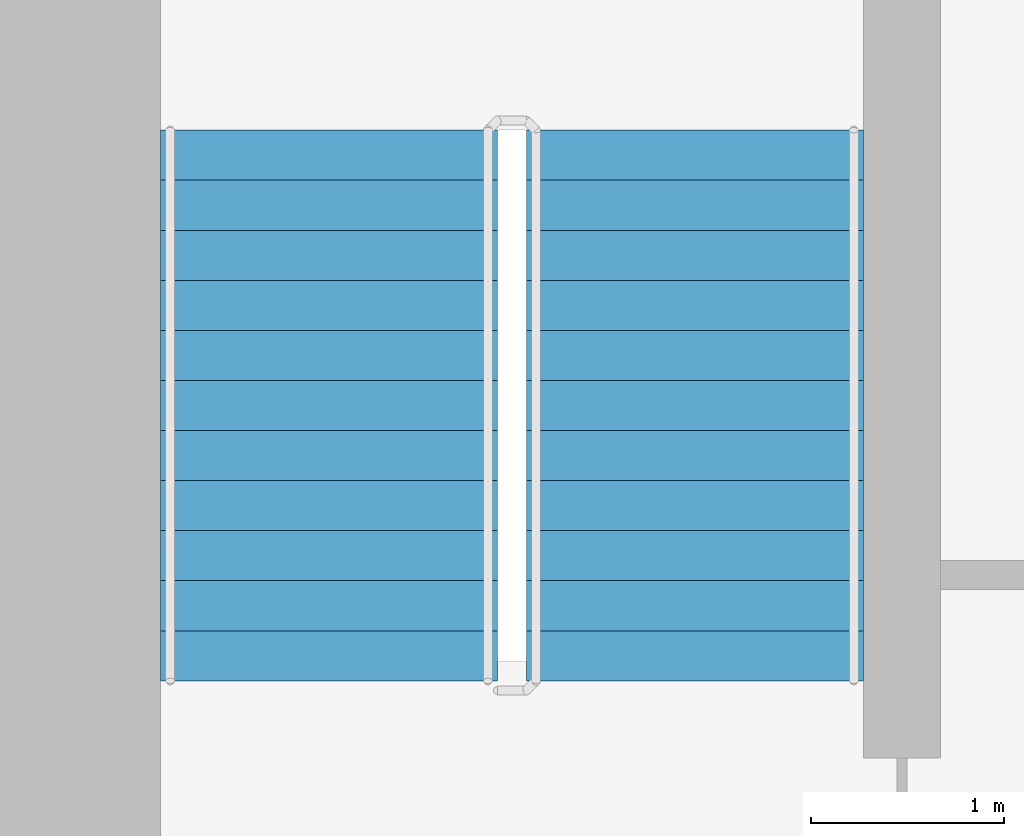
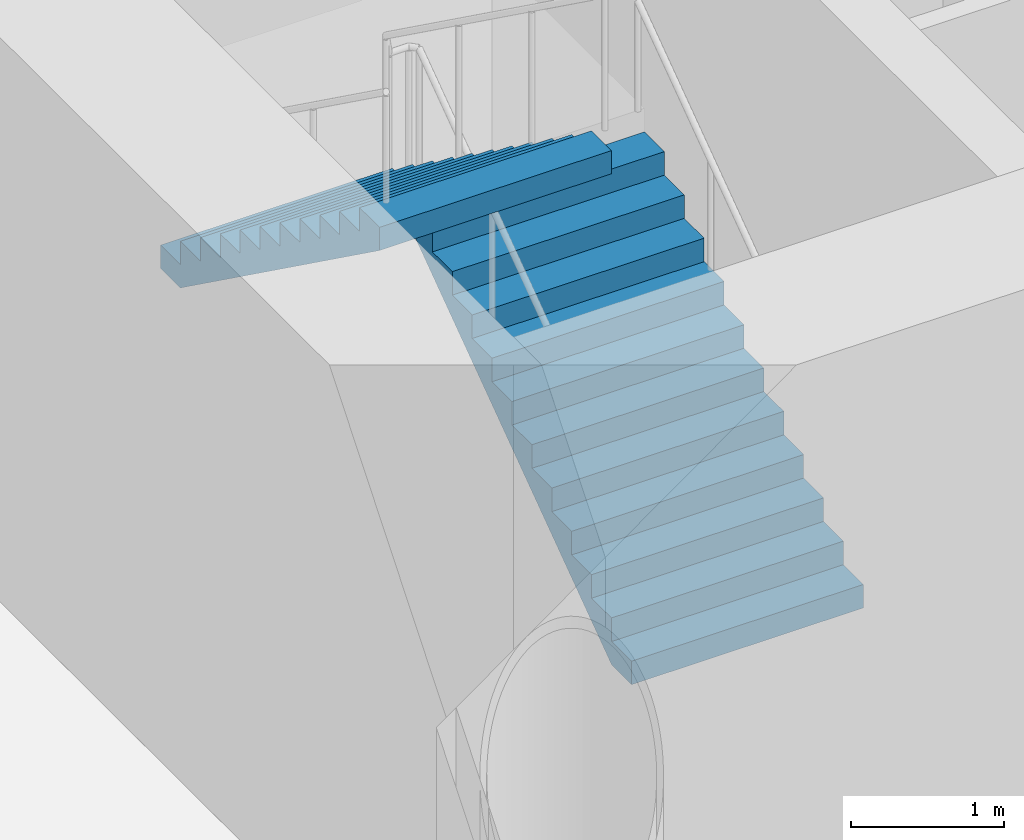
# One storey, part 41 of 49: 2 stair flights, 1 element without a shape of its own.
"""IFC4 building model written with IfcOpenShell, lengths in metres."""

from ifc_helpers import new_model, si_unit, direction, frame, origin, place, context, subcontext, project, spatial, faceted_brep, material, type_object, element, aggregate, save


model = new_model("IFC4")

# Units and contexts
model_context = context("Model", 3, precision=1e-05, world=origin(), true_north=direction((0.0, 1.0)))
body_context = subcontext(model_context, "Body", "Model", "MODEL_VIEW")
ifc_project = project(units=[si_unit("LENGTHUNIT", "METRE"), si_unit("AREAUNIT", "SQUARE_METRE"), si_unit("VOLUMEUNIT", "CUBIC_METRE"), si_unit("PLANEANGLEUNIT", "RADIAN"), si_unit("MASSUNIT", "GRAM", prefix="KILO")], contexts=[model_context])

# Site, building, storey
site_placement = place(None, origin())
site = spatial("IfcSite", under=ifc_project, at=site_placement, CompositionType="ELEMENT")
building_placement = place(site_placement, origin())
building = spatial("IfcBuilding", under=site, at=building_placement, Name="Ipe Terrace Towers", CompositionType="ELEMENT")
storey_placement = place(building_placement, frame((0.0, 0.0, 20.0)))
storey = spatial("IfcBuildingStorey", under=building, at=storey_placement, Name="L04", CompositionType="ELEMENT", Elevation=20.0)

# Stair, stair flights
ifc_material_1 = material(Name="Concrete C30/37", Category="concrete")
stair_type = type_object("IfcStairType", Name="Protected exit stair", PredefinedType="HALF_TURN_STAIR", material=ifc_material_1)
stair_placement = place(storey_placement, origin())
stair = element("IfcStair", 1, at=stair_placement, inside=storey, type_object=stair_type, Name="L04 Exit stair T2-C1", PredefinedType="HALF_TURN_STAIR")
ifc_material_2 = material(Name="Concrete C30/37", Category="concrete")
stair_flight_type = type_object("IfcStairFlightType", Name="Exit stair flight 1750", PredefinedType="STRAIGHT", material=ifc_material_2)
stair_flight_1_placement = place(storey_placement, frame((33.22509765625, 9.699951171875, 0.0), z_axis=(0.0, 0.0, 1.0), x_axis=(0.0, 1.0, 0.0)))
stair_flight_1 = element("IfcStairFlight", 2, at=stair_flight_1_placement, type_object=stair_flight_type, Name="T2-ST1 flight 1", NumberOfRisers=12, NumberOfTreads=11, PredefinedType="STRAIGHT", RiserHeight=0.1875, TreadLength=0.26, context=body_context, shape_type="Brep", body=[
    faceted_brep([(0.25634765625, -0.875, 0.0), (2.860107421875, -0.875, 1.877685546875), (2.860107421875, -0.875, 2.0625), (2.60009765625, -0.875, 2.0625), (2.60009765625, -0.875, 1.875), (2.340087890625, -0.875, 1.875), (2.340087890625, -0.875, 1.6875), (2.080078125, -0.875, 1.6875), (2.080078125, -0.875, 1.5), (1.820068359375, -0.875, 1.5), (1.820068359375, -0.875, 1.3125), (1.56005859375, -0.875, 1.3125), (1.56005859375, -0.875, 1.125), (1.300048828125, -0.875, 1.125), (1.300048828125, -0.875, 0.9375), (1.0400390625, -0.875, 0.9375), (1.0400390625, -0.875, 0.75), (0.780029296875, -0.875, 0.75), (0.780029296875, -0.875, 0.5625), (0.52001953125, -0.875, 0.5625), (0.52001953125, -0.875, 0.375), (0.260009765625, -0.875, 0.375), (0.260009765625, -0.875, 0.1875), (0.0, -0.875, 0.1875), (0.0, -0.875, 0.0), (0.0, 0.875, 0.0), (0.0, 0.875, 0.1875), (0.260009765625, 0.875, 0.1875), (0.260009765625, 0.875, 0.375), (0.52001953125, 0.875, 0.375), (0.52001953125, 0.875, 0.5625), (0.780029296875, 0.875, 0.5625), (0.780029296875, 0.875, 0.75), (1.0400390625, 0.875, 0.75), (1.0400390625, 0.875, 0.9375), (1.300048828125, 0.875, 0.9375), (1.300048828125, 0.875, 1.125), (1.56005859375, 0.875, 1.125), (1.56005859375, 0.875, 1.3125), (1.820068359375, 0.875, 1.3125), (1.820068359375, 0.875, 1.5), (2.080078125, 0.875, 1.5), (2.080078125, 0.875, 1.6875), (2.340087890625, 0.875, 1.6875), (2.340087890625, 0.875, 1.875), (2.60009765625, 0.875, 1.875), (2.60009765625, 0.875, 2.0625), (2.860107421875, 0.875, 2.0625), (2.860107421875, 0.875, 1.877685546875), (0.25634765625, 0.875, 0.0), (0.0, -0.300048828125, 0.1875), (0.0, -0.1201171875, 0.1875), (0.0, -0.06005859375, 0.1875), (0.0, -0.030029296875, 0.1875), (0.0, -0.010009765625, 0.1875), (0.0, 0.0, 0.1875), (0.0, 0.010009765625, 0.1875), (0.0, 0.030029296875, 0.1875), (0.0, 0.06005859375, 0.1875), (0.0, 0.1201171875, 0.1875), (0.0, 0.300048828125, 0.1875), (0.0, 0.300048828125, 0.0), (0.0, 0.1201171875, 0.0), (0.0, 0.06005859375, 0.0), (0.0, 0.030029296875, 0.0), (0.0, 0.010009765625, 0.0), (0.0, 0.0, 0.0), (0.0, -0.010009765625, 0.0), (0.0, -0.030029296875, 0.0), (0.0, -0.06005859375, 0.0), (0.0, -0.1201171875, 0.0), (0.0, -0.300048828125, 0.0), (0.260009765625, -0.300048828125, 0.1875), (0.260009765625, -0.1201171875, 0.1875), (0.260009765625, -0.06005859375, 0.1875), (0.260009765625, -0.030029296875, 0.1875), (0.260009765625, -0.010009765625, 0.1875), (0.260009765625, 0.0, 0.1875), (0.260009765625, 0.010009765625, 0.1875), (0.260009765625, 0.030029296875, 0.1875), (0.260009765625, 0.06005859375, 0.1875), (0.260009765625, 0.1201171875, 0.1875), (0.260009765625, 0.300048828125, 0.1875), (0.260009765625, -0.300048828125, 0.375), (0.260009765625, -0.1201171875, 0.375), (0.260009765625, -0.06005859375, 0.375), (0.260009765625, -0.030029296875, 0.375), (0.260009765625, -0.010009765625, 0.375), (0.260009765625, 0.0, 0.375), (0.260009765625, 0.010009765625, 0.375), (0.260009765625, 0.030029296875, 0.375), (0.260009765625, 0.06005859375, 0.375), (0.260009765625, 0.1201171875, 0.375), (0.260009765625, 0.300048828125, 0.375), (0.52001953125, -0.300048828125, 0.375), (0.52001953125, -0.1201171875, 0.375), (0.52001953125, -0.06005859375, 0.375), (0.52001953125, -0.030029296875, 0.375), (0.52001953125, -0.010009765625, 0.375), (0.52001953125, 0.0, 0.375), (0.52001953125, 0.010009765625, 0.375), (0.52001953125, 0.030029296875, 0.375), (0.52001953125, 0.06005859375, 0.375), (0.52001953125, 0.1201171875, 0.375), (0.52001953125, 0.300048828125, 0.375), (0.52001953125, -0.300048828125, 0.5625), (0.52001953125, -0.1201171875, 0.5625), (0.52001953125, -0.06005859375, 0.5625), (0.52001953125, -0.030029296875, 0.5625), (0.52001953125, -0.010009765625, 0.5625), (0.52001953125, 0.0, 0.5625), (0.52001953125, 0.010009765625, 0.5625), (0.52001953125, 0.030029296875, 0.5625), (0.52001953125, 0.06005859375, 0.5625), (0.52001953125, 0.1201171875, 0.5625), (0.52001953125, 0.300048828125, 0.5625), (0.780029296875, -0.300048828125, 0.5625), (0.780029296875, -0.1201171875, 0.5625), (0.780029296875, -0.06005859375, 0.5625), (0.780029296875, -0.030029296875, 0.5625), (0.780029296875, -0.010009765625, 0.5625), (0.780029296875, 0.0, 0.5625), (0.780029296875, 0.010009765625, 0.5625), (0.780029296875, 0.030029296875, 0.5625), (0.780029296875, 0.06005859375, 0.5625), (0.780029296875, 0.1201171875, 0.5625), (0.780029296875, 0.300048828125, 0.5625), (0.780029296875, -0.300048828125, 0.75), (0.780029296875, -0.1201171875, 0.75), (0.780029296875, -0.06005859375, 0.75), (0.780029296875, -0.030029296875, 0.75), (0.780029296875, -0.010009765625, 0.75), (0.780029296875, 0.0, 0.75), (0.780029296875, 0.010009765625, 0.75), (0.780029296875, 0.030029296875, 0.75), (0.780029296875, 0.06005859375, 0.75), (0.780029296875, 0.1201171875, 0.75), (0.780029296875, 0.300048828125, 0.75), (1.0400390625, -0.300048828125, 0.75), (1.0400390625, -0.1201171875, 0.75), (1.0400390625, -0.06005859375, 0.75), (1.0400390625, -0.030029296875, 0.75), (1.0400390625, -0.010009765625, 0.75), (1.0400390625, 0.0, 0.75), (1.0400390625, 0.010009765625, 0.75), (1.0400390625, 0.030029296875, 0.75), (1.0400390625, 0.06005859375, 0.75), (1.0400390625, 0.1201171875, 0.75), (1.0400390625, 0.300048828125, 0.75), (1.0400390625, -0.300048828125, 0.9375), (1.0400390625, -0.1201171875, 0.9375), (1.0400390625, -0.06005859375, 0.9375), (1.0400390625, -0.030029296875, 0.9375), (1.0400390625, -0.010009765625, 0.9375), (1.0400390625, 0.0, 0.9375), (1.0400390625, 0.010009765625, 0.9375), (1.0400390625, 0.030029296875, 0.9375), (1.0400390625, 0.06005859375, 0.9375), (1.0400390625, 0.1201171875, 0.9375), (1.0400390625, 0.300048828125, 0.9375), (1.300048828125, -0.300048828125, 0.9375), (1.300048828125, -0.1201171875, 0.9375), (1.300048828125, -0.06005859375, 0.9375), (1.300048828125, -0.030029296875, 0.9375), (1.300048828125, -0.010009765625, 0.9375), (1.300048828125, 0.0, 0.9375), (1.300048828125, 0.010009765625, 0.9375), (1.300048828125, 0.030029296875, 0.9375), (1.300048828125, 0.06005859375, 0.9375), (1.300048828125, 0.1201171875, 0.9375), (1.300048828125, 0.300048828125, 0.9375), (1.300048828125, -0.300048828125, 1.125), (1.300048828125, -0.1201171875, 1.125), (1.300048828125, -0.06005859375, 1.125), (1.300048828125, -0.030029296875, 1.125), (1.300048828125, -0.010009765625, 1.125), (1.300048828125, 0.0, 1.125), (1.300048828125, 0.010009765625, 1.125), (1.300048828125, 0.030029296875, 1.125), (1.300048828125, 0.06005859375, 1.125), (1.300048828125, 0.1201171875, 1.125), (1.300048828125, 0.300048828125, 1.125), (1.56005859375, -0.300048828125, 1.125), (1.56005859375, -0.1201171875, 1.125), (1.56005859375, -0.06005859375, 1.125), (1.56005859375, -0.030029296875, 1.125), (1.56005859375, -0.010009765625, 1.125), (1.56005859375, 0.0, 1.125), (1.56005859375, 0.010009765625, 1.125), (1.56005859375, 0.030029296875, 1.125), (1.56005859375, 0.06005859375, 1.125), (1.56005859375, 0.1201171875, 1.125), (1.56005859375, 0.300048828125, 1.125), (1.56005859375, -0.300048828125, 1.3125), (1.56005859375, -0.1201171875, 1.3125), (1.56005859375, -0.06005859375, 1.3125), (1.56005859375, -0.030029296875, 1.3125), (1.56005859375, -0.010009765625, 1.3125), (1.56005859375, 0.0, 1.3125), (1.56005859375, 0.010009765625, 1.3125), (1.56005859375, 0.030029296875, 1.3125), (1.56005859375, 0.06005859375, 1.3125), (1.56005859375, 0.1201171875, 1.3125), (1.56005859375, 0.300048828125, 1.3125), (1.820068359375, -0.300048828125, 1.3125), (1.820068359375, -0.1201171875, 1.3125), (1.820068359375, -0.06005859375, 1.3125), (1.820068359375, -0.030029296875, 1.3125), (1.820068359375, -0.010009765625, 1.3125), (1.820068359375, 0.0, 1.3125), (1.820068359375, 0.010009765625, 1.3125), (1.820068359375, 0.030029296875, 1.3125), (1.820068359375, 0.06005859375, 1.3125), (1.820068359375, 0.1201171875, 1.3125), (1.820068359375, 0.300048828125, 1.3125), (1.820068359375, -0.300048828125, 1.5), (1.820068359375, -0.1201171875, 1.5), (1.820068359375, -0.06005859375, 1.5), (1.820068359375, -0.030029296875, 1.5), (1.820068359375, -0.010009765625, 1.5), (1.820068359375, 0.0, 1.5), (1.820068359375, 0.010009765625, 1.5), (1.820068359375, 0.030029296875, 1.5), (1.820068359375, 0.06005859375, 1.5), (1.820068359375, 0.1201171875, 1.5), (1.820068359375, 0.300048828125, 1.5), (2.080078125, -0.300048828125, 1.5), (2.080078125, -0.1201171875, 1.5), (2.080078125, -0.06005859375, 1.5), (2.080078125, -0.030029296875, 1.5), (2.080078125, -0.010009765625, 1.5), (2.080078125, 0.0, 1.5), (2.080078125, 0.010009765625, 1.5), (2.080078125, 0.030029296875, 1.5), (2.080078125, 0.06005859375, 1.5), (2.080078125, 0.1201171875, 1.5), (2.080078125, 0.300048828125, 1.5), (2.080078125, -0.300048828125, 1.6875), (2.080078125, -0.1201171875, 1.6875), (2.080078125, -0.06005859375, 1.6875), (2.080078125, -0.030029296875, 1.6875), (2.080078125, -0.010009765625, 1.6875), (2.080078125, 0.0, 1.6875), (2.080078125, 0.010009765625, 1.6875), (2.080078125, 0.030029296875, 1.6875), (2.080078125, 0.06005859375, 1.6875), (2.080078125, 0.1201171875, 1.6875), (2.080078125, 0.300048828125, 1.6875), (2.340087890625, -0.300048828125, 1.6875), (2.340087890625, -0.1201171875, 1.6875), (2.340087890625, -0.06005859375, 1.6875), (2.340087890625, -0.030029296875, 1.6875), (2.340087890625, -0.010009765625, 1.6875), (2.340087890625, 0.0, 1.6875), (2.340087890625, 0.010009765625, 1.6875), (2.340087890625, 0.030029296875, 1.6875), (2.340087890625, 0.06005859375, 1.6875), (2.340087890625, 0.1201171875, 1.6875), (2.340087890625, 0.300048828125, 1.6875), (2.340087890625, -0.300048828125, 1.875), (2.340087890625, -0.1201171875, 1.875), (2.340087890625, -0.06005859375, 1.875), (2.340087890625, -0.030029296875, 1.875), (2.340087890625, -0.010009765625, 1.875), (2.340087890625, 0.0, 1.875), (2.340087890625, 0.010009765625, 1.875), (2.340087890625, 0.030029296875, 1.875), (2.340087890625, 0.06005859375, 1.875), (2.340087890625, 0.1201171875, 1.875), (2.340087890625, 0.300048828125, 1.875), (2.60009765625, -0.300048828125, 1.875), (2.60009765625, -0.1201171875, 1.875), (2.60009765625, -0.06005859375, 1.875), (2.60009765625, -0.030029296875, 1.875), (2.60009765625, -0.010009765625, 1.875), (2.60009765625, 0.0, 1.875), (2.60009765625, 0.010009765625, 1.875), (2.60009765625, 0.030029296875, 1.875), (2.60009765625, 0.06005859375, 1.875), (2.60009765625, 0.1201171875, 1.875), (2.60009765625, 0.300048828125, 1.875), (2.60009765625, -0.300048828125, 2.0625), (2.60009765625, -0.1201171875, 2.0625), (2.60009765625, -0.06005859375, 2.0625), (2.60009765625, -0.030029296875, 2.0625), (2.60009765625, -0.010009765625, 2.0625), (2.60009765625, 0.0, 2.0625), (2.60009765625, 0.010009765625, 2.0625), (2.60009765625, 0.030029296875, 2.0625), (2.60009765625, 0.06005859375, 2.0625), (2.60009765625, 0.1201171875, 2.0625), (2.60009765625, 0.300048828125, 2.0625), (2.860107421875, -0.300048828125, 2.0625), (2.860107421875, -0.1201171875, 2.0625), (2.860107421875, -0.06005859375, 2.0625), (2.860107421875, -0.030029296875, 2.0625), (2.860107421875, -0.010009765625, 2.0625), (2.860107421875, 0.0, 2.0625), (2.860107421875, 0.010009765625, 2.0625), (2.860107421875, 0.030029296875, 2.0625), (2.860107421875, 0.06005859375, 2.0625), (2.860107421875, 0.1201171875, 2.0625), (2.860107421875, 0.300048828125, 2.0625), (2.860107421875, -0.300048828125, 1.877685546875), (2.860107421875, -0.1201171875, 1.877685546875), (2.860107421875, -0.06005859375, 1.877685546875), (2.860107421875, -0.030029296875, 1.877685546875), (2.860107421875, -0.010009765625, 1.877685546875), (2.860107421875, 0.0, 1.877685546875), (2.860107421875, 0.010009765625, 1.877685546875), (2.860107421875, 0.030029296875, 1.877685546875), (2.860107421875, 0.06005859375, 1.877685546875), (2.860107421875, 0.1201171875, 1.877685546875), (2.860107421875, 0.300048828125, 1.877685546875), (0.25634765625, -0.300048828125, 0.0), (0.25634765625, -0.1201171875, 0.0), (0.25634765625, -0.06005859375, 0.0), (0.25634765625, -0.030029296875, 0.0), (0.25634765625, -0.010009765625, 0.0), (0.25634765625, 0.0, 0.0), (0.25634765625, 0.010009765625, 0.0), (0.25634765625, 0.030029296875, 0.0), (0.25634765625, 0.06005859375, 0.0), (0.25634765625, 0.1201171875, 0.0), (0.25634765625, 0.300048828125, 0.0)], [[[0, 1, 2, 3, 4, 5, 6, 7, 8, 9, 10, 11, 12, 13, 14, 15, 16, 17, 18, 19, 20, 21, 22, 23, 24]], [[25, 26, 27, 28, 29, 30, 31, 32, 33, 34, 35, 36, 37, 38, 39, 40, 41, 42, 43, 44, 45, 46, 47, 48, 49]], [[23, 50, 51, 52, 53, 54, 55, 56, 57, 58, 59, 60, 26, 25, 61, 62, 63, 64, 65, 66, 67, 68, 69, 70, 71, 24]], [[22, 72, 73, 74, 75, 76, 77, 78, 79, 80, 81, 82, 27, 26, 60, 59, 58, 57, 56, 55, 54, 53, 52, 51, 50, 23]], [[21, 83, 84, 85, 86, 87, 88, 89, 90, 91, 92, 93, 28, 27, 82, 81, 80, 79, 78, 77, 76, 75, 74, 73, 72, 22]], [[20, 94, 95, 96, 97, 98, 99, 100, 101, 102, 103, 104, 29, 28, 93, 92, 91, 90, 89, 88, 87, 86, 85, 84, 83, 21]], [[19, 105, 106, 107, 108, 109, 110, 111, 112, 113, 114, 115, 30, 29, 104, 103, 102, 101, 100, 99, 98, 97, 96, 95, 94, 20]], [[18, 116, 117, 118, 119, 120, 121, 122, 123, 124, 125, 126, 31, 30, 115, 114, 113, 112, 111, 110, 109, 108, 107, 106, 105, 19]], [[17, 127, 128, 129, 130, 131, 132, 133, 134, 135, 136, 137, 32, 31, 126, 125, 124, 123, 122, 121, 120, 119, 118, 117, 116, 18]], [[16, 138, 139, 140, 141, 142, 143, 144, 145, 146, 147, 148, 33, 32, 137, 136, 135, 134, 133, 132, 131, 130, 129, 128, 127, 17]], [[15, 149, 150, 151, 152, 153, 154, 155, 156, 157, 158, 159, 34, 33, 148, 147, 146, 145, 144, 143, 142, 141, 140, 139, 138, 16]], [[14, 160, 161, 162, 163, 164, 165, 166, 167, 168, 169, 170, 35, 34, 159, 158, 157, 156, 155, 154, 153, 152, 151, 150, 149, 15]], [[13, 171, 172, 173, 174, 175, 176, 177, 178, 179, 180, 181, 36, 35, 170, 169, 168, 167, 166, 165, 164, 163, 162, 161, 160, 14]], [[12, 182, 183, 184, 185, 186, 187, 188, 189, 190, 191, 192, 37, 36, 181, 180, 179, 178, 177, 176, 175, 174, 173, 172, 171, 13]], [[11, 193, 194, 195, 196, 197, 198, 199, 200, 201, 202, 203, 38, 37, 192, 191, 190, 189, 188, 187, 186, 185, 184, 183, 182, 12]], [[10, 204, 205, 206, 207, 208, 209, 210, 211, 212, 213, 214, 39, 38, 203, 202, 201, 200, 199, 198, 197, 196, 195, 194, 193, 11]], [[9, 215, 216, 217, 218, 219, 220, 221, 222, 223, 224, 225, 40, 39, 214, 213, 212, 211, 210, 209, 208, 207, 206, 205, 204, 10]], [[8, 226, 227, 228, 229, 230, 231, 232, 233, 234, 235, 236, 41, 40, 225, 224, 223, 222, 221, 220, 219, 218, 217, 216, 215, 9]], [[7, 237, 238, 239, 240, 241, 242, 243, 244, 245, 246, 247, 42, 41, 236, 235, 234, 233, 232, 231, 230, 229, 228, 227, 226, 8]], [[6, 248, 249, 250, 251, 252, 253, 254, 255, 256, 257, 258, 43, 42, 247, 246, 245, 244, 243, 242, 241, 240, 239, 238, 237, 7]], [[5, 259, 260, 261, 262, 263, 264, 265, 266, 267, 268, 269, 44, 43, 258, 257, 256, 255, 254, 253, 252, 251, 250, 249, 248, 6]], [[4, 270, 271, 272, 273, 274, 275, 276, 277, 278, 279, 280, 45, 44, 269, 268, 267, 266, 265, 264, 263, 262, 261, 260, 259, 5]], [[3, 281, 282, 283, 284, 285, 286, 287, 288, 289, 290, 291, 46, 45, 280, 279, 278, 277, 276, 275, 274, 273, 272, 271, 270, 4]], [[2, 292, 293, 294, 295, 296, 297, 298, 299, 300, 301, 302, 47, 46, 291, 290, 289, 288, 287, 286, 285, 284, 283, 282, 281, 3]], [[1, 303, 304, 305, 306, 307, 308, 309, 310, 311, 312, 313, 48, 47, 302, 301, 300, 299, 298, 297, 296, 295, 294, 293, 292, 2]], [[0, 314, 315, 316, 317, 318, 319, 320, 321, 322, 323, 324, 49, 48, 313, 312, 311, 310, 309, 308, 307, 306, 305, 304, 303, 1]], [[24, 71, 70, 69, 68, 67, 66, 65, 64, 63, 62, 61, 25, 49, 324, 323, 322, 321, 320, 319, 318, 317, 316, 315, 314, 0]]]),
])
stair_flight_2_placement = place(storey_placement, frame((31.324951171875, 12.56005859375, 2.25), z_axis=(0.0, 0.0, 1.0), x_axis=(0.0, -1.0, 0.0)))
stair_flight_2 = element("IfcStairFlight", 3, at=stair_flight_2_placement, type_object=stair_flight_type, Name="T2-ST1 flight 2", NumberOfRisers=12, NumberOfTreads=11, PredefinedType="STRAIGHT", RiserHeight=0.1875, TreadLength=0.26, context=body_context, shape_type="Brep", body=[
    faceted_brep([(0.25634765625, -0.875, 0.0), (2.860107421875, -0.875, 1.877685546875), (2.860107421875, -0.875, 2.0625), (2.60009765625, -0.875, 2.0625), (2.60009765625, -0.875, 1.875), (2.340087890625, -0.875, 1.875), (2.340087890625, -0.875, 1.6875), (2.080078125, -0.875, 1.6875), (2.080078125, -0.875, 1.5), (1.820068359375, -0.875, 1.5), (1.820068359375, -0.875, 1.3125), (1.56005859375, -0.875, 1.3125), (1.56005859375, -0.875, 1.125), (1.300048828125, -0.875, 1.125), (1.300048828125, -0.875, 0.9375), (1.0400390625, -0.875, 0.9375), (1.0400390625, -0.875, 0.75), (0.780029296875, -0.875, 0.75), (0.780029296875, -0.875, 0.5625), (0.52001953125, -0.875, 0.5625), (0.52001953125, -0.875, 0.375), (0.260009765625, -0.875, 0.375), (0.260009765625, -0.875, 0.1875), (0.0, -0.875, 0.1875), (0.0, -0.875, 0.0), (0.0, 0.875, 0.0), (0.0, 0.875, 0.1875), (0.260009765625, 0.875, 0.1875), (0.260009765625, 0.875, 0.375), (0.52001953125, 0.875, 0.375), (0.52001953125, 0.875, 0.5625), (0.780029296875, 0.875, 0.5625), (0.780029296875, 0.875, 0.75), (1.0400390625, 0.875, 0.75), (1.0400390625, 0.875, 0.9375), (1.300048828125, 0.875, 0.9375), (1.300048828125, 0.875, 1.125), (1.56005859375, 0.875, 1.125), (1.56005859375, 0.875, 1.3125), (1.820068359375, 0.875, 1.3125), (1.820068359375, 0.875, 1.5), (2.080078125, 0.875, 1.5), (2.080078125, 0.875, 1.6875), (2.340087890625, 0.875, 1.6875), (2.340087890625, 0.875, 1.875), (2.60009765625, 0.875, 1.875), (2.60009765625, 0.875, 2.0625), (2.860107421875, 0.875, 2.0625), (2.860107421875, 0.875, 1.877685546875), (0.25634765625, 0.875, 0.0), (0.0, -0.300048828125, 0.1875), (0.0, -0.1201171875, 0.1875), (0.0, -0.06005859375, 0.1875), (0.0, -0.030029296875, 0.1875), (0.0, -0.010009765625, 0.1875), (0.0, 0.0, 0.1875), (0.0, 0.010009765625, 0.1875), (0.0, 0.030029296875, 0.1875), (0.0, 0.06005859375, 0.1875), (0.0, 0.1201171875, 0.1875), (0.0, 0.300048828125, 0.1875), (0.0, 0.300048828125, 0.0), (0.0, 0.1201171875, 0.0), (0.0, 0.06005859375, 0.0), (0.0, 0.030029296875, 0.0), (0.0, 0.010009765625, 0.0), (0.0, 0.0, 0.0), (0.0, -0.010009765625, 0.0), (0.0, -0.030029296875, 0.0), (0.0, -0.06005859375, 0.0), (0.0, -0.1201171875, 0.0), (0.0, -0.300048828125, 0.0), (0.260009765625, -0.300048828125, 0.1875), (0.260009765625, -0.1201171875, 0.1875), (0.260009765625, -0.06005859375, 0.1875), (0.260009765625, -0.030029296875, 0.1875), (0.260009765625, -0.010009765625, 0.1875), (0.260009765625, 0.0, 0.1875), (0.260009765625, 0.010009765625, 0.1875), (0.260009765625, 0.030029296875, 0.1875), (0.260009765625, 0.06005859375, 0.1875), (0.260009765625, 0.1201171875, 0.1875), (0.260009765625, 0.300048828125, 0.1875), (0.260009765625, -0.300048828125, 0.375), (0.260009765625, -0.1201171875, 0.375), (0.260009765625, -0.06005859375, 0.375), (0.260009765625, -0.030029296875, 0.375), (0.260009765625, -0.010009765625, 0.375), (0.260009765625, 0.0, 0.375), (0.260009765625, 0.010009765625, 0.375), (0.260009765625, 0.030029296875, 0.375), (0.260009765625, 0.06005859375, 0.375), (0.260009765625, 0.1201171875, 0.375), (0.260009765625, 0.300048828125, 0.375), (0.52001953125, -0.300048828125, 0.375), (0.52001953125, -0.1201171875, 0.375), (0.52001953125, -0.06005859375, 0.375), (0.52001953125, -0.030029296875, 0.375), (0.52001953125, -0.010009765625, 0.375), (0.52001953125, 0.0, 0.375), (0.52001953125, 0.010009765625, 0.375), (0.52001953125, 0.030029296875, 0.375), (0.52001953125, 0.06005859375, 0.375), (0.52001953125, 0.1201171875, 0.375), (0.52001953125, 0.300048828125, 0.375), (0.52001953125, -0.300048828125, 0.5625), (0.52001953125, -0.1201171875, 0.5625), (0.52001953125, -0.06005859375, 0.5625), (0.52001953125, -0.030029296875, 0.5625), (0.52001953125, -0.010009765625, 0.5625), (0.52001953125, 0.0, 0.5625), (0.52001953125, 0.010009765625, 0.5625), (0.52001953125, 0.030029296875, 0.5625), (0.52001953125, 0.06005859375, 0.5625), (0.52001953125, 0.1201171875, 0.5625), (0.52001953125, 0.300048828125, 0.5625), (0.780029296875, -0.300048828125, 0.5625), (0.780029296875, -0.1201171875, 0.5625), (0.780029296875, -0.06005859375, 0.5625), (0.780029296875, -0.030029296875, 0.5625), (0.780029296875, -0.010009765625, 0.5625), (0.780029296875, 0.0, 0.5625), (0.780029296875, 0.010009765625, 0.5625), (0.780029296875, 0.030029296875, 0.5625), (0.780029296875, 0.06005859375, 0.5625), (0.780029296875, 0.1201171875, 0.5625), (0.780029296875, 0.300048828125, 0.5625), (0.780029296875, -0.300048828125, 0.75), (0.780029296875, -0.1201171875, 0.75), (0.780029296875, -0.06005859375, 0.75), (0.780029296875, -0.030029296875, 0.75), (0.780029296875, -0.010009765625, 0.75), (0.780029296875, 0.0, 0.75), (0.780029296875, 0.010009765625, 0.75), (0.780029296875, 0.030029296875, 0.75), (0.780029296875, 0.06005859375, 0.75), (0.780029296875, 0.1201171875, 0.75), (0.780029296875, 0.300048828125, 0.75), (1.0400390625, -0.300048828125, 0.75), (1.0400390625, -0.1201171875, 0.75), (1.0400390625, -0.06005859375, 0.75), (1.0400390625, -0.030029296875, 0.75), (1.0400390625, -0.010009765625, 0.75), (1.0400390625, 0.0, 0.75), (1.0400390625, 0.010009765625, 0.75), (1.0400390625, 0.030029296875, 0.75), (1.0400390625, 0.06005859375, 0.75), (1.0400390625, 0.1201171875, 0.75), (1.0400390625, 0.300048828125, 0.75), (1.0400390625, -0.300048828125, 0.9375), (1.0400390625, -0.1201171875, 0.9375), (1.0400390625, -0.06005859375, 0.9375), (1.0400390625, -0.030029296875, 0.9375), (1.0400390625, -0.010009765625, 0.9375), (1.0400390625, 0.0, 0.9375), (1.0400390625, 0.010009765625, 0.9375), (1.0400390625, 0.030029296875, 0.9375), (1.0400390625, 0.06005859375, 0.9375), (1.0400390625, 0.1201171875, 0.9375), (1.0400390625, 0.300048828125, 0.9375), (1.300048828125, -0.300048828125, 0.9375), (1.300048828125, -0.1201171875, 0.9375), (1.300048828125, -0.06005859375, 0.9375), (1.300048828125, -0.030029296875, 0.9375), (1.300048828125, -0.010009765625, 0.9375), (1.300048828125, 0.0, 0.9375), (1.300048828125, 0.010009765625, 0.9375), (1.300048828125, 0.030029296875, 0.9375), (1.300048828125, 0.06005859375, 0.9375), (1.300048828125, 0.1201171875, 0.9375), (1.300048828125, 0.300048828125, 0.9375), (1.300048828125, -0.300048828125, 1.125), (1.300048828125, -0.1201171875, 1.125), (1.300048828125, -0.06005859375, 1.125), (1.300048828125, -0.030029296875, 1.125), (1.300048828125, -0.010009765625, 1.125), (1.300048828125, 0.0, 1.125), (1.300048828125, 0.010009765625, 1.125), (1.300048828125, 0.030029296875, 1.125), (1.300048828125, 0.06005859375, 1.125), (1.300048828125, 0.1201171875, 1.125), (1.300048828125, 0.300048828125, 1.125), (1.56005859375, -0.300048828125, 1.125), (1.56005859375, -0.1201171875, 1.125), (1.56005859375, -0.06005859375, 1.125), (1.56005859375, -0.030029296875, 1.125), (1.56005859375, -0.010009765625, 1.125), (1.56005859375, 0.0, 1.125), (1.56005859375, 0.010009765625, 1.125), (1.56005859375, 0.030029296875, 1.125), (1.56005859375, 0.06005859375, 1.125), (1.56005859375, 0.1201171875, 1.125), (1.56005859375, 0.300048828125, 1.125), (1.56005859375, -0.300048828125, 1.3125), (1.56005859375, -0.1201171875, 1.3125), (1.56005859375, -0.06005859375, 1.3125), (1.56005859375, -0.030029296875, 1.3125), (1.56005859375, -0.010009765625, 1.3125), (1.56005859375, 0.0, 1.3125), (1.56005859375, 0.010009765625, 1.3125), (1.56005859375, 0.030029296875, 1.3125), (1.56005859375, 0.06005859375, 1.3125), (1.56005859375, 0.1201171875, 1.3125), (1.56005859375, 0.300048828125, 1.3125), (1.820068359375, -0.300048828125, 1.3125), (1.820068359375, -0.1201171875, 1.3125), (1.820068359375, -0.06005859375, 1.3125), (1.820068359375, -0.030029296875, 1.3125), (1.820068359375, -0.010009765625, 1.3125), (1.820068359375, 0.0, 1.3125), (1.820068359375, 0.010009765625, 1.3125), (1.820068359375, 0.030029296875, 1.3125), (1.820068359375, 0.06005859375, 1.3125), (1.820068359375, 0.1201171875, 1.3125), (1.820068359375, 0.300048828125, 1.3125), (1.820068359375, -0.300048828125, 1.5), (1.820068359375, -0.1201171875, 1.5), (1.820068359375, -0.06005859375, 1.5), (1.820068359375, -0.030029296875, 1.5), (1.820068359375, -0.010009765625, 1.5), (1.820068359375, 0.0, 1.5), (1.820068359375, 0.010009765625, 1.5), (1.820068359375, 0.030029296875, 1.5), (1.820068359375, 0.06005859375, 1.5), (1.820068359375, 0.1201171875, 1.5), (1.820068359375, 0.300048828125, 1.5), (2.080078125, -0.300048828125, 1.5), (2.080078125, -0.1201171875, 1.5), (2.080078125, -0.06005859375, 1.5), (2.080078125, -0.030029296875, 1.5), (2.080078125, -0.010009765625, 1.5), (2.080078125, 0.0, 1.5), (2.080078125, 0.010009765625, 1.5), (2.080078125, 0.030029296875, 1.5), (2.080078125, 0.06005859375, 1.5), (2.080078125, 0.1201171875, 1.5), (2.080078125, 0.300048828125, 1.5), (2.080078125, -0.300048828125, 1.6875), (2.080078125, -0.1201171875, 1.6875), (2.080078125, -0.06005859375, 1.6875), (2.080078125, -0.030029296875, 1.6875), (2.080078125, -0.010009765625, 1.6875), (2.080078125, 0.0, 1.6875), (2.080078125, 0.010009765625, 1.6875), (2.080078125, 0.030029296875, 1.6875), (2.080078125, 0.06005859375, 1.6875), (2.080078125, 0.1201171875, 1.6875), (2.080078125, 0.300048828125, 1.6875), (2.340087890625, -0.300048828125, 1.6875), (2.340087890625, -0.1201171875, 1.6875), (2.340087890625, -0.06005859375, 1.6875), (2.340087890625, -0.030029296875, 1.6875), (2.340087890625, -0.010009765625, 1.6875), (2.340087890625, 0.0, 1.6875), (2.340087890625, 0.010009765625, 1.6875), (2.340087890625, 0.030029296875, 1.6875), (2.340087890625, 0.06005859375, 1.6875), (2.340087890625, 0.1201171875, 1.6875), (2.340087890625, 0.300048828125, 1.6875), (2.340087890625, -0.300048828125, 1.875), (2.340087890625, -0.1201171875, 1.875), (2.340087890625, -0.06005859375, 1.875), (2.340087890625, -0.030029296875, 1.875), (2.340087890625, -0.010009765625, 1.875), (2.340087890625, 0.0, 1.875), (2.340087890625, 0.010009765625, 1.875), (2.340087890625, 0.030029296875, 1.875), (2.340087890625, 0.06005859375, 1.875), (2.340087890625, 0.1201171875, 1.875), (2.340087890625, 0.300048828125, 1.875), (2.60009765625, -0.300048828125, 1.875), (2.60009765625, -0.1201171875, 1.875), (2.60009765625, -0.06005859375, 1.875), (2.60009765625, -0.030029296875, 1.875), (2.60009765625, -0.010009765625, 1.875), (2.60009765625, 0.0, 1.875), (2.60009765625, 0.010009765625, 1.875), (2.60009765625, 0.030029296875, 1.875), (2.60009765625, 0.06005859375, 1.875), (2.60009765625, 0.1201171875, 1.875), (2.60009765625, 0.300048828125, 1.875), (2.60009765625, -0.300048828125, 2.0625), (2.60009765625, -0.1201171875, 2.0625), (2.60009765625, -0.06005859375, 2.0625), (2.60009765625, -0.030029296875, 2.0625), (2.60009765625, -0.010009765625, 2.0625), (2.60009765625, 0.0, 2.0625), (2.60009765625, 0.010009765625, 2.0625), (2.60009765625, 0.030029296875, 2.0625), (2.60009765625, 0.06005859375, 2.0625), (2.60009765625, 0.1201171875, 2.0625), (2.60009765625, 0.300048828125, 2.0625), (2.860107421875, -0.300048828125, 2.0625), (2.860107421875, -0.1201171875, 2.0625), (2.860107421875, -0.06005859375, 2.0625), (2.860107421875, -0.030029296875, 2.0625), (2.860107421875, -0.010009765625, 2.0625), (2.860107421875, 0.0, 2.0625), (2.860107421875, 0.010009765625, 2.0625), (2.860107421875, 0.030029296875, 2.0625), (2.860107421875, 0.06005859375, 2.0625), (2.860107421875, 0.1201171875, 2.0625), (2.860107421875, 0.300048828125, 2.0625), (2.860107421875, -0.300048828125, 1.877685546875), (2.860107421875, -0.1201171875, 1.877685546875), (2.860107421875, -0.06005859375, 1.877685546875), (2.860107421875, -0.030029296875, 1.877685546875), (2.860107421875, -0.010009765625, 1.877685546875), (2.860107421875, 0.0, 1.877685546875), (2.860107421875, 0.010009765625, 1.877685546875), (2.860107421875, 0.030029296875, 1.877685546875), (2.860107421875, 0.06005859375, 1.877685546875), (2.860107421875, 0.1201171875, 1.877685546875), (2.860107421875, 0.300048828125, 1.877685546875), (0.25634765625, -0.300048828125, 0.0), (0.25634765625, -0.1201171875, 0.0), (0.25634765625, -0.06005859375, 0.0), (0.25634765625, -0.030029296875, 0.0), (0.25634765625, -0.010009765625, 0.0), (0.25634765625, 0.0, 0.0), (0.25634765625, 0.010009765625, 0.0), (0.25634765625, 0.030029296875, 0.0), (0.25634765625, 0.06005859375, 0.0), (0.25634765625, 0.1201171875, 0.0), (0.25634765625, 0.300048828125, 0.0)], [[[0, 1, 2, 3, 4, 5, 6, 7, 8, 9, 10, 11, 12, 13, 14, 15, 16, 17, 18, 19, 20, 21, 22, 23, 24]], [[25, 26, 27, 28, 29, 30, 31, 32, 33, 34, 35, 36, 37, 38, 39, 40, 41, 42, 43, 44, 45, 46, 47, 48, 49]], [[23, 50, 51, 52, 53, 54, 55, 56, 57, 58, 59, 60, 26, 25, 61, 62, 63, 64, 65, 66, 67, 68, 69, 70, 71, 24]], [[22, 72, 73, 74, 75, 76, 77, 78, 79, 80, 81, 82, 27, 26, 60, 59, 58, 57, 56, 55, 54, 53, 52, 51, 50, 23]], [[21, 83, 84, 85, 86, 87, 88, 89, 90, 91, 92, 93, 28, 27, 82, 81, 80, 79, 78, 77, 76, 75, 74, 73, 72, 22]], [[20, 94, 95, 96, 97, 98, 99, 100, 101, 102, 103, 104, 29, 28, 93, 92, 91, 90, 89, 88, 87, 86, 85, 84, 83, 21]], [[19, 105, 106, 107, 108, 109, 110, 111, 112, 113, 114, 115, 30, 29, 104, 103, 102, 101, 100, 99, 98, 97, 96, 95, 94, 20]], [[18, 116, 117, 118, 119, 120, 121, 122, 123, 124, 125, 126, 31, 30, 115, 114, 113, 112, 111, 110, 109, 108, 107, 106, 105, 19]], [[17, 127, 128, 129, 130, 131, 132, 133, 134, 135, 136, 137, 32, 31, 126, 125, 124, 123, 122, 121, 120, 119, 118, 117, 116, 18]], [[16, 138, 139, 140, 141, 142, 143, 144, 145, 146, 147, 148, 33, 32, 137, 136, 135, 134, 133, 132, 131, 130, 129, 128, 127, 17]], [[15, 149, 150, 151, 152, 153, 154, 155, 156, 157, 158, 159, 34, 33, 148, 147, 146, 145, 144, 143, 142, 141, 140, 139, 138, 16]], [[14, 160, 161, 162, 163, 164, 165, 166, 167, 168, 169, 170, 35, 34, 159, 158, 157, 156, 155, 154, 153, 152, 151, 150, 149, 15]], [[13, 171, 172, 173, 174, 175, 176, 177, 178, 179, 180, 181, 36, 35, 170, 169, 168, 167, 166, 165, 164, 163, 162, 161, 160, 14]], [[12, 182, 183, 184, 185, 186, 187, 188, 189, 190, 191, 192, 37, 36, 181, 180, 179, 178, 177, 176, 175, 174, 173, 172, 171, 13]], [[11, 193, 194, 195, 196, 197, 198, 199, 200, 201, 202, 203, 38, 37, 192, 191, 190, 189, 188, 187, 186, 185, 184, 183, 182, 12]], [[10, 204, 205, 206, 207, 208, 209, 210, 211, 212, 213, 214, 39, 38, 203, 202, 201, 200, 199, 198, 197, 196, 195, 194, 193, 11]], [[9, 215, 216, 217, 218, 219, 220, 221, 222, 223, 224, 225, 40, 39, 214, 213, 212, 211, 210, 209, 208, 207, 206, 205, 204, 10]], [[8, 226, 227, 228, 229, 230, 231, 232, 233, 234, 235, 236, 41, 40, 225, 224, 223, 222, 221, 220, 219, 218, 217, 216, 215, 9]], [[7, 237, 238, 239, 240, 241, 242, 243, 244, 245, 246, 247, 42, 41, 236, 235, 234, 233, 232, 231, 230, 229, 228, 227, 226, 8]], [[6, 248, 249, 250, 251, 252, 253, 254, 255, 256, 257, 258, 43, 42, 247, 246, 245, 244, 243, 242, 241, 240, 239, 238, 237, 7]], [[5, 259, 260, 261, 262, 263, 264, 265, 266, 267, 268, 269, 44, 43, 258, 257, 256, 255, 254, 253, 252, 251, 250, 249, 248, 6]], [[4, 270, 271, 272, 273, 274, 275, 276, 277, 278, 279, 280, 45, 44, 269, 268, 267, 266, 265, 264, 263, 262, 261, 260, 259, 5]], [[3, 281, 282, 283, 284, 285, 286, 287, 288, 289, 290, 291, 46, 45, 280, 279, 278, 277, 276, 275, 274, 273, 272, 271, 270, 4]], [[2, 292, 293, 294, 295, 296, 297, 298, 299, 300, 301, 302, 47, 46, 291, 290, 289, 288, 287, 286, 285, 284, 283, 282, 281, 3]], [[1, 303, 304, 305, 306, 307, 308, 309, 310, 311, 312, 313, 48, 47, 302, 301, 300, 299, 298, 297, 296, 295, 294, 293, 292, 2]], [[0, 314, 315, 316, 317, 318, 319, 320, 321, 322, 323, 324, 49, 48, 313, 312, 311, 310, 309, 308, 307, 306, 305, 304, 303, 1]], [[24, 71, 70, 69, 68, 67, 66, 65, 64, 63, 62, 61, 25, 49, 324, 323, 322, 321, 320, 319, 318, 317, 316, 315, 314, 0]]]),
])
aggregate(stair, [stair_flight_1, stair_flight_2])

save(model, "model.ifc")
